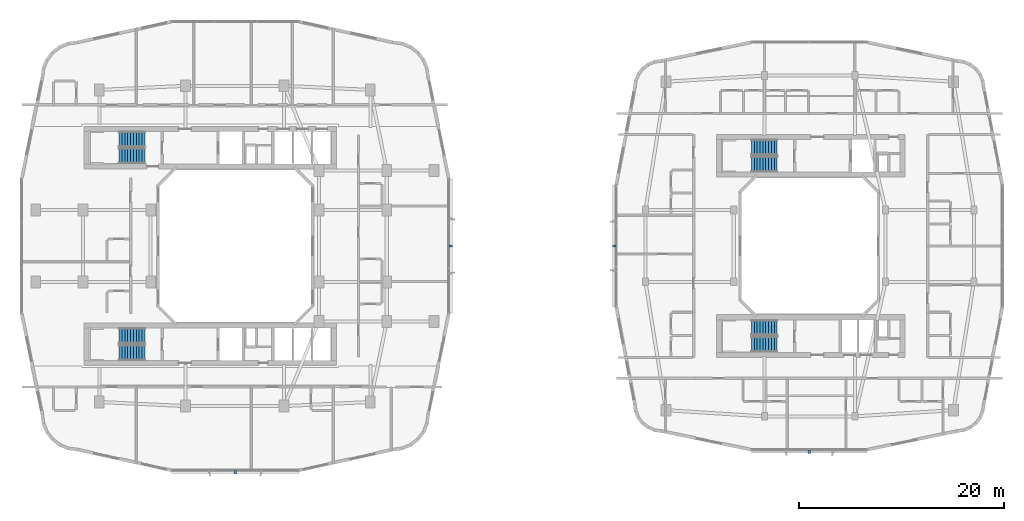
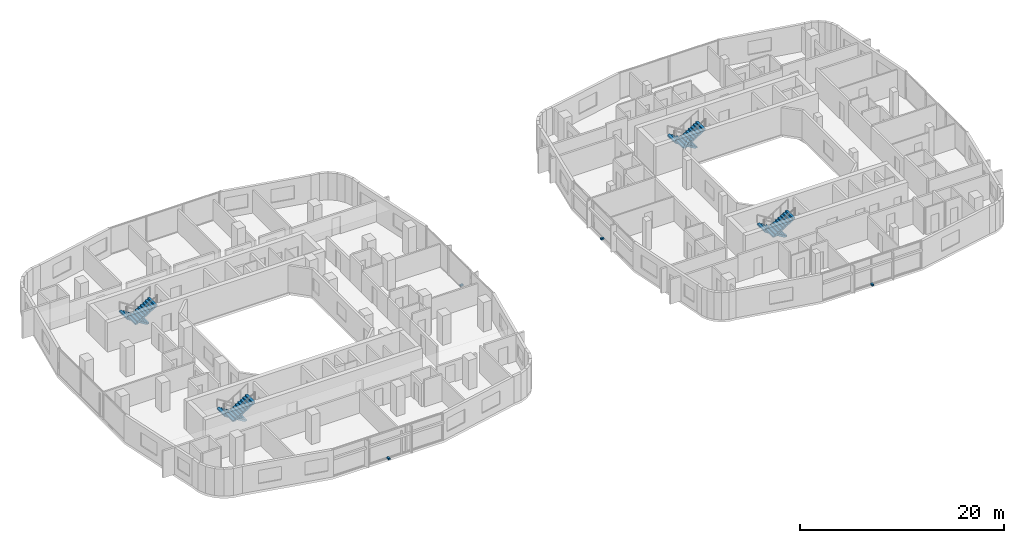
# One storey, part 22 of 27: 8 stair flights, 4 discrete accessories, 4 elements without a shape of their own.
"""IFC4 building model written with IfcOpenShell, lengths in metres."""

from ifc_helpers import new_model, si_unit, derived_unit, direction, frame, origin, origin_2d, place, context, subcontext, project, spatial, polyline, rectangle, outline, extrude, material, type_object, element, aggregate, save


model = new_model("IFC4")

# Units and contexts
model_context = context("Model", 3, precision=1e-05, world=origin(), true_north=direction((0.0, 1.0)))
body_context = subcontext(model_context, "Body", "Model", "MODEL_VIEW")
ifc_project = project(units=[si_unit("LENGTHUNIT", "METRE"), si_unit("AREAUNIT", "SQUARE_METRE"), si_unit("VOLUMEUNIT", "CUBIC_METRE"), si_unit("PLANEANGLEUNIT", "RADIAN"), si_unit("MASSUNIT", "GRAM", prefix="KILO"), derived_unit("THERMALTRANSMITTANCEUNIT", [(si_unit("POWERUNIT", "WATT"), 1), (si_unit("LENGTHUNIT", "METRE"), -2), (si_unit("THERMODYNAMICTEMPERATUREUNIT", "KELVIN"), -1)])], contexts=[model_context])

# Site, building, storey
site_placement = place(None, origin())
site = spatial("IfcSite", under=ifc_project, at=site_placement, CompositionType="ELEMENT")
building_placement = place(site_placement, origin())
building = spatial("IfcBuilding", under=site, at=building_placement, Name="Kivonza Crest Hotel", CompositionType="ELEMENT")
storey_placement = place(building_placement, frame((0.0, 0.0, 76.5)))
storey = spatial("IfcBuildingStorey", under=building, at=storey_placement, Name="L20", CompositionType="ELEMENT", Elevation=76.5)

# Stair, stair flights
ifc_material_1 = material(Name="Concrete C40/50", Category="concrete")
stair_type = type_object("IfcStairType", Name="ST-DL-20R", PredefinedType="HALF_TURN_STAIR", material=ifc_material_1)
stair_1_placement = place(storey_placement, origin())
stair_1 = element("IfcStair", 1, at=stair_1_placement, inside=storey, type_object=stair_type, Name="L20 Protected Exit Stair ST-T1-N", PredefinedType="HALF_TURN_STAIR")
stair_flight_type = type_object("IfcStairFlightType", Name="SFL-RC-10R", PredefinedType="STRAIGHT", material=ifc_material_1)
stair_flight_1_placement = place(storey_placement, frame((12.239990234375, 35.409912109375, 0.0), z_axis=(0.0, 0.0, 1.0), x_axis=(-1.0, 0.0, 0.0)))
stair_flight_1 = element("IfcStairFlight", 2, at=stair_flight_1_placement, type_object=stair_flight_type, Name="ST-T1-N flight 1", NumberOfRisers=10, NumberOfTreads=9, PredefinedType="STRAIGHT", RiserHeight=0.175, TreadLength=0.28, context=body_context, shape_type="SweptSolid", body=[
    extrude(outline(polyline([(0.0, 0.0), (0.0, 0.175048828125), (0.280029296875, 0.175048828125), (0.280029296875, 0.35009765625), (0.56005859375, 0.35009765625), (0.56005859375, 0.52490234375), (0.840087890625, 0.52490234375), (0.840087890625, 0.699951171875), (1.1201171875, 0.699951171875), (1.1201171875, 0.875), (1.39990234375, 0.875), (1.39990234375, 1.050048828125), (1.679931640625, 1.050048828125), (1.679931640625, 1.22509765625), (1.9599609375, 1.22509765625), (1.9599609375, 1.39990234375), (2.239990234375, 1.39990234375), (2.239990234375, 1.574951171875), (2.52001953125, 1.574951171875), (2.52001953125, 1.75), (2.52001953125, 1.398193359375), (0.28271484375, 0.0), (0.0, 0.0)])), frame((0.0, 0.75, 0.0), z_axis=(0.0, -1.0, 0.0), x_axis=(1.0, 0.0, 0.0)), (0.0, 0.0, 1.0), 1.5),
])
stair_flight_2_placement = place(storey_placement, frame((9.719970703125, 33.77001953125, 1.75), z_axis=(0.0, 0.0, 1.0), x_axis=(1.0, 0.0, 0.0)))
stair_flight_2 = element("IfcStairFlight", 3, at=stair_flight_2_placement, type_object=stair_flight_type, Name="ST-T1-N flight 2", NumberOfRisers=10, NumberOfTreads=9, PredefinedType="STRAIGHT", RiserHeight=0.175, TreadLength=0.28, context=body_context, shape_type="SweptSolid", body=[
    extrude(outline(polyline([(0.0, 0.0), (0.0, 0.175048828125), (0.280029296875, 0.175048828125), (0.280029296875, 0.35009765625), (0.56005859375, 0.35009765625), (0.56005859375, 0.52490234375), (0.840087890625, 0.52490234375), (0.840087890625, 0.699951171875), (1.1201171875, 0.699951171875), (1.1201171875, 0.875), (1.39990234375, 0.875), (1.39990234375, 1.050048828125), (1.679931640625, 1.050048828125), (1.679931640625, 1.22509765625), (1.9599609375, 1.22509765625), (1.9599609375, 1.39990234375), (2.239990234375, 1.39990234375), (2.239990234375, 1.574951171875), (2.52001953125, 1.574951171875), (2.52001953125, 1.75), (2.52001953125, 1.398193359375), (0.28271484375, 0.0), (0.0, 0.0)])), frame((0.0, 0.75, 0.0), z_axis=(0.0, -1.0, 0.0), x_axis=(1.0, 0.0, 0.0)), (0.0, 0.0, 1.0), 1.5),
])
aggregate(stair_1, [stair_flight_1, stair_flight_2])

stair_2_placement = place(storey_placement, origin())
stair_2 = element("IfcStair", 4, at=stair_2_placement, inside=storey, type_object=stair_type, Name="L20 Protected Exit Stair ST-T1-S", PredefinedType="HALF_TURN_STAIR")
stair_flight_3_placement = place(storey_placement, frame((12.239990234375, 16.25, 0.0), z_axis=(0.0, 0.0, 1.0), x_axis=(-1.0, 0.0, 0.0)))
stair_flight_3 = element("IfcStairFlight", 5, at=stair_flight_3_placement, type_object=stair_flight_type, Name="ST-T1-S flight 1", NumberOfRisers=10, NumberOfTreads=9, PredefinedType="STRAIGHT", RiserHeight=0.175, TreadLength=0.28, context=body_context, shape_type="SweptSolid", body=[
    extrude(outline(polyline([(0.0, 0.0), (0.0, 0.175048828125), (0.280029296875, 0.175048828125), (0.280029296875, 0.35009765625), (0.56005859375, 0.35009765625), (0.56005859375, 0.52490234375), (0.840087890625, 0.52490234375), (0.840087890625, 0.699951171875), (1.1201171875, 0.699951171875), (1.1201171875, 0.875), (1.39990234375, 0.875), (1.39990234375, 1.050048828125), (1.679931640625, 1.050048828125), (1.679931640625, 1.22509765625), (1.9599609375, 1.22509765625), (1.9599609375, 1.39990234375), (2.239990234375, 1.39990234375), (2.239990234375, 1.574951171875), (2.52001953125, 1.574951171875), (2.52001953125, 1.75), (2.52001953125, 1.398193359375), (0.28271484375, 0.0), (0.0, 0.0)])), frame((0.0, 0.75, 0.0), z_axis=(0.0, -1.0, 0.0), x_axis=(1.0, 0.0, 0.0)), (0.0, 0.0, 1.0), 1.5),
])
stair_flight_4_placement = place(storey_placement, frame((9.719970703125, 14.610107421875, 1.75), z_axis=(0.0, 0.0, 1.0), x_axis=(1.0, 0.0, 0.0)))
stair_flight_4 = element("IfcStairFlight", 6, at=stair_flight_4_placement, type_object=stair_flight_type, Name="ST-T1-S flight 2", NumberOfRisers=10, NumberOfTreads=9, PredefinedType="STRAIGHT", RiserHeight=0.175, TreadLength=0.28, context=body_context, shape_type="SweptSolid", body=[
    extrude(outline(polyline([(0.0, 0.0), (0.0, 0.175048828125), (0.280029296875, 0.175048828125), (0.280029296875, 0.35009765625), (0.56005859375, 0.35009765625), (0.56005859375, 0.52490234375), (0.840087890625, 0.52490234375), (0.840087890625, 0.699951171875), (1.1201171875, 0.699951171875), (1.1201171875, 0.875), (1.39990234375, 0.875), (1.39990234375, 1.050048828125), (1.679931640625, 1.050048828125), (1.679931640625, 1.22509765625), (1.9599609375, 1.22509765625), (1.9599609375, 1.39990234375), (2.239990234375, 1.39990234375), (2.239990234375, 1.574951171875), (2.52001953125, 1.574951171875), (2.52001953125, 1.75), (2.52001953125, 1.398193359375), (0.28271484375, 0.0), (0.0, 0.0)])), frame((0.0, 0.75, 0.0), z_axis=(0.0, -1.0, 0.0), x_axis=(1.0, 0.0, 0.0)), (0.0, 0.0, 1.0), 1.5),
])
aggregate(stair_2, [stair_flight_3, stair_flight_4])

stair_3_placement = place(storey_placement, origin())
stair_3 = element("IfcStair", 7, at=stair_3_placement, inside=storey, type_object=stair_type, Name="L20 Protected Exit Stair ST-T2-N", PredefinedType="HALF_TURN_STAIR")
stair_flight_5_placement = place(storey_placement, frame((73.840087890625, 34.610107421875, 0.0), z_axis=(0.0, 0.0, 1.0), x_axis=(-1.0, 0.0, 0.0)))
stair_flight_5 = element("IfcStairFlight", 8, at=stair_flight_5_placement, type_object=stair_flight_type, Name="ST-T2-N flight 1", NumberOfRisers=10, NumberOfTreads=9, PredefinedType="STRAIGHT", RiserHeight=0.175, TreadLength=0.28, context=body_context, shape_type="SweptSolid", body=[
    extrude(outline(polyline([(0.0, 0.0), (0.0, 0.175048828125), (0.280029296875, 0.175048828125), (0.280029296875, 0.35009765625), (0.56005859375, 0.35009765625), (0.56005859375, 0.52490234375), (0.840087890625, 0.52490234375), (0.840087890625, 0.699951171875), (1.1201171875, 0.699951171875), (1.1201171875, 0.875), (1.39990234375, 0.875), (1.39990234375, 1.050048828125), (1.679931640625, 1.050048828125), (1.679931640625, 1.22509765625), (1.9599609375, 1.22509765625), (1.9599609375, 1.39990234375), (2.239990234375, 1.39990234375), (2.239990234375, 1.574951171875), (2.52001953125, 1.574951171875), (2.52001953125, 1.75), (2.52001953125, 1.398193359375), (0.28271484375, 0.0), (0.0, 0.0)])), frame((0.0, 0.75, 0.0), z_axis=(0.0, -1.0, 0.0), x_axis=(1.0, 0.0, 0.0)), (0.0, 0.0, 1.0), 1.5),
])
stair_flight_6_placement = place(storey_placement, frame((71.320068359375, 32.969970703125, 1.75), z_axis=(0.0, 0.0, 1.0), x_axis=(1.0, 0.0, 0.0)))
stair_flight_6 = element("IfcStairFlight", 9, at=stair_flight_6_placement, type_object=stair_flight_type, Name="ST-T2-N flight 2", NumberOfRisers=10, NumberOfTreads=9, PredefinedType="STRAIGHT", RiserHeight=0.175, TreadLength=0.28, context=body_context, shape_type="SweptSolid", body=[
    extrude(outline(polyline([(0.0, 0.0), (0.0, 0.175048828125), (0.280029296875, 0.175048828125), (0.280029296875, 0.35009765625), (0.56005859375, 0.35009765625), (0.56005859375, 0.52490234375), (0.840087890625, 0.52490234375), (0.840087890625, 0.699951171875), (1.1201171875, 0.699951171875), (1.1201171875, 0.875), (1.39990234375, 0.875), (1.39990234375, 1.050048828125), (1.679931640625, 1.050048828125), (1.679931640625, 1.22509765625), (1.9599609375, 1.22509765625), (1.9599609375, 1.39990234375), (2.239990234375, 1.39990234375), (2.239990234375, 1.574951171875), (2.52001953125, 1.574951171875), (2.52001953125, 1.75), (2.52001953125, 1.398193359375), (0.28271484375, 0.0), (0.0, 0.0)])), frame((0.0, 0.75, 0.0), z_axis=(0.0, -1.0, 0.0), x_axis=(1.0, 0.0, 0.0)), (0.0, 0.0, 1.0), 1.5),
])
aggregate(stair_3, [stair_flight_5, stair_flight_6])

stair_4_placement = place(storey_placement, origin())
stair_4 = element("IfcStair", 10, at=stair_4_placement, inside=storey, type_object=stair_type, Name="L20 Protected Exit Stair ST-T2-S", PredefinedType="HALF_TURN_STAIR")
stair_flight_7_placement = place(storey_placement, frame((73.840087890625, 17.050048828125, 0.0), z_axis=(0.0, 0.0, 1.0), x_axis=(-1.0, 0.0, 0.0)))
stair_flight_7 = element("IfcStairFlight", 11, at=stair_flight_7_placement, type_object=stair_flight_type, Name="ST-T2-S flight 1", NumberOfRisers=10, NumberOfTreads=9, PredefinedType="STRAIGHT", RiserHeight=0.175, TreadLength=0.28, context=body_context, shape_type="SweptSolid", body=[
    extrude(outline(polyline([(0.0, 0.0), (0.0, 0.175048828125), (0.280029296875, 0.175048828125), (0.280029296875, 0.35009765625), (0.56005859375, 0.35009765625), (0.56005859375, 0.52490234375), (0.840087890625, 0.52490234375), (0.840087890625, 0.699951171875), (1.1201171875, 0.699951171875), (1.1201171875, 0.875), (1.39990234375, 0.875), (1.39990234375, 1.050048828125), (1.679931640625, 1.050048828125), (1.679931640625, 1.22509765625), (1.9599609375, 1.22509765625), (1.9599609375, 1.39990234375), (2.239990234375, 1.39990234375), (2.239990234375, 1.574951171875), (2.52001953125, 1.574951171875), (2.52001953125, 1.75), (2.52001953125, 1.398193359375), (0.28271484375, 0.0), (0.0, 0.0)])), frame((0.0, 0.75, 0.0), z_axis=(0.0, -1.0, 0.0), x_axis=(1.0, 0.0, 0.0)), (0.0, 0.0, 1.0), 1.5),
])
stair_flight_8_placement = place(storey_placement, frame((71.320068359375, 15.409912109375, 1.75), z_axis=(0.0, 0.0, 1.0), x_axis=(1.0, 0.0, 0.0)))
stair_flight_8 = element("IfcStairFlight", 12, at=stair_flight_8_placement, type_object=stair_flight_type, Name="ST-T2-S flight 2", NumberOfRisers=10, NumberOfTreads=9, PredefinedType="STRAIGHT", RiserHeight=0.175, TreadLength=0.28, context=body_context, shape_type="SweptSolid", body=[
    extrude(outline(polyline([(0.0, 0.0), (0.0, 0.175048828125), (0.280029296875, 0.175048828125), (0.280029296875, 0.35009765625), (0.56005859375, 0.35009765625), (0.56005859375, 0.52490234375), (0.840087890625, 0.52490234375), (0.840087890625, 0.699951171875), (1.1201171875, 0.699951171875), (1.1201171875, 0.875), (1.39990234375, 0.875), (1.39990234375, 1.050048828125), (1.679931640625, 1.050048828125), (1.679931640625, 1.22509765625), (1.9599609375, 1.22509765625), (1.9599609375, 1.39990234375), (2.239990234375, 1.39990234375), (2.239990234375, 1.574951171875), (2.52001953125, 1.574951171875), (2.52001953125, 1.75), (2.52001953125, 1.398193359375), (0.28271484375, 0.0), (0.0, 0.0)])), frame((0.0, 0.75, 0.0), z_axis=(0.0, -1.0, 0.0), x_axis=(1.0, 0.0, 0.0)), (0.0, 0.0, 1.0), 1.5),
])
aggregate(stair_4, [stair_flight_7, stair_flight_8])

# Discrete accessories
ifc_material_2 = material(Name="Stainless steel 316", Category="steel")
discrete_accessory_type = type_object("IfcDiscreteAccessoryType", Name="AC-BRACKET-240", PredefinedType="BRACKET", material=ifc_material_2)
for number, where, z_axis, x_axis, name in (
    (13, (21.0400390625, 2.9599609375, -0.009765625), (0.0, 0.0, 1.0), (1.0, 0.0, 0.0), "L20 terracotta baguette support bracket CW-T1-L20-08"),
    (14, (42.0400390625, 25.0, -0.009765625), (0.0, 0.0, 1.0), (0.0, 1.0, 0.0), "L20 terracotta baguette support bracket CW-T1-L20-17"),
    (15, (76.9599609375, 4.9599609375, -0.009765625), (0.0, 0.0, 1.0), (1.0, 0.0, 0.0), "L20 terracotta baguette support bracket CW-T2-L20-08"),
    (16, (57.9599609375, 25.0, -0.009765625), (0.0, 0.0, 1.0), (0.0, -1.0, 0.0), "L20 terracotta baguette support bracket CW-T2-L20-35"),
):
    element("IfcDiscreteAccessory", number, at=place(storey_placement, frame(where, z_axis=z_axis, x_axis=x_axis)), inside=storey, type_object=discrete_accessory_type, Name=name, PredefinedType="BRACKET", context=body_context, shape_type="SweptSolid", body=[
        extrude(rectangle(XDim=0.219970703125, YDim=0.340087890625, at=origin_2d()), origin(), (0.0, 0.0, 1.0), 0.179931640625),
    ])

save(model, "model.ifc")
